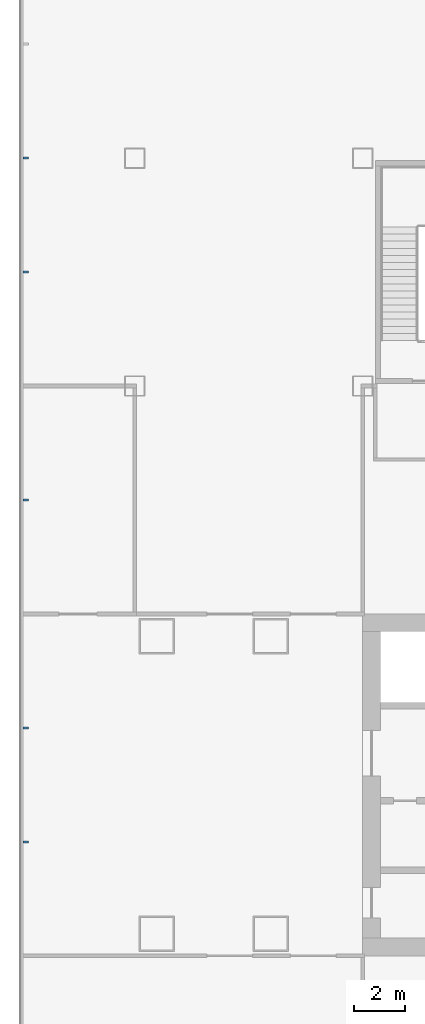
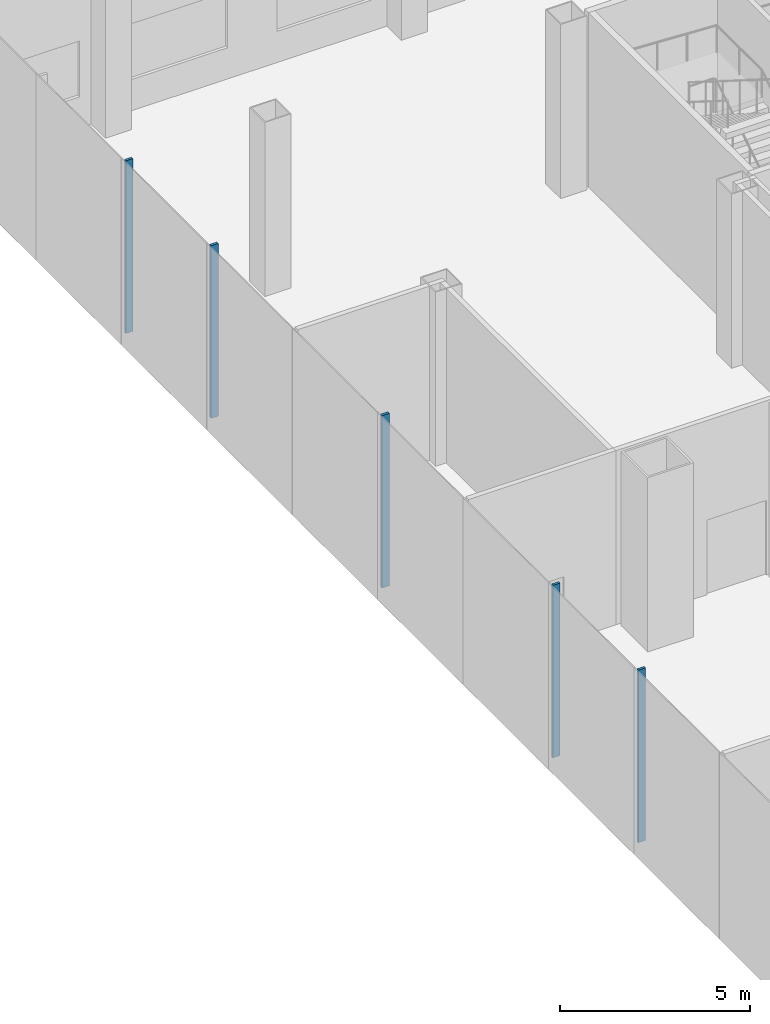
# One storey, part 8 of 33: 5 members, 1 element without a shape of its own.
"""IFC4 building model written with IfcOpenShell, lengths in metres."""

import ifcopenshell
import ifcopenshell.guid

model = None  # the IFC model being written
_history = None  # IfcOwnerHistory: only IFC2X3 demands one
_inside = {}  # id of a spatial element -> (the spatial element, [elements in it])
_under = {}  # id of a project, library or spatial element -> (it, [spatial elements below it])
_declared = {}  # id of a project -> (the project, [libraries it declares])
_typed = {}  # id of a type object -> (the type object, [elements of that type])
_made_of = {}  # id of a material, layer set ... -> (it, [elements and type objects made of it])


def new_model(schema):
    """Start an empty IFC model of exactly this schema.

    Asked for "IFC4X3", IfcOpenShell would pick the latest addendum, in which some entities
    have other attributes; the version numbers below select the first issue.
    IFC2X3 requires an IfcOwnerHistory on every rooted entity: one is made here for all.
    """
    global model, _history
    if schema == "IFC4X3":
        model = ifcopenshell.file(schema_version=(4, 3, 0, 0))
    else:
        model = ifcopenshell.file(schema=schema)
    _inside.clear()
    _under.clear()
    _declared.clear()
    _typed.clear()
    _made_of.clear()
    _history = None
    if model.schema == "IFC2X3":
        org = make("IfcOrganization", Name="unknown")
        user = make(
            "IfcPersonAndOrganization",
            ThePerson=make("IfcPerson", FamilyName="unknown"),
            TheOrganization=org,
        )
        app = make(
            "IfcApplication",
            ApplicationDeveloper=org,
            Version="unknown",
            ApplicationFullName="unknown",
            ApplicationIdentifier="unknown",
        )
        _history = make(
            "IfcOwnerHistory",
            OwningUser=user,
            OwningApplication=app,
            ChangeAction="ADDED",
            CreationDate=0,
        )
    return model


def make(cls, **values):
    """One entity of the class cls with the attributes given. An attribute that is None is left unset."""
    return model.create_entity(
        cls, **{name: value for name, value in values.items() if value is not None}
    )


def rooted(cls, **values):
    """An entity with a GlobalId (a new one), such as an element, a storey or a relation."""
    return make(cls, GlobalId=ifcopenshell.guid.new(), OwnerHistory=_history, **values)


def si_unit(unit_type, name, prefix=None):
    """IfcSIUnit, for example si_unit("LENGTHUNIT", "METRE", prefix="MILLI")."""
    return make("IfcSIUnit", UnitType=unit_type, Prefix=prefix, Name=name)


def assignment(units):
    """IfcUnitAssignment: the units of a project."""
    return None if units is None else make("IfcUnitAssignment", Units=units)


def point(xyz):
    """IfcCartesianPoint."""
    return None if xyz is None else make("IfcCartesianPoint", Coordinates=xyz)


def direction(xyz):
    """IfcDirection."""
    return None if xyz is None else make("IfcDirection", DirectionRatios=xyz)


def frame(location, z_axis=None, x_axis=None):
    """IfcAxis2Placement3D, a coordinate frame: its origin and axes. An axis left out is left unset."""
    return make(
        "IfcAxis2Placement3D",
        Location=point(location),
        Axis=direction(z_axis),
        RefDirection=direction(x_axis),
    )


def frame_2d(location, x_axis=None):
    """IfcAxis2Placement2D, a coordinate frame in the plane: its origin and x axis."""
    return make(
        "IfcAxis2Placement2D", Location=point(location), RefDirection=direction(x_axis)
    )


def origin():
    """The frame at (0, 0, 0) with its axes left unset."""
    return frame((0.0, 0.0, 0.0))


def origin_2d():
    """The frame at (0, 0) in the plane with its x axis left unset."""
    return frame_2d((0.0, 0.0))


def place(relative_to, where):
    """IfcLocalPlacement: puts the frame where relative to a parent placement (None: the world)."""
    return make(
        "IfcLocalPlacement", PlacementRelTo=relative_to, RelativePlacement=where
    )


def context(
    kind, dimensions, precision=None, world=None, true_north=None, identifier=None
):
    """IfcGeometricRepresentationContext, for example the 3D "Model" context."""
    return make(
        "IfcGeometricRepresentationContext",
        ContextIdentifier=identifier,
        ContextType=kind,
        CoordinateSpaceDimension=dimensions,
        Precision=precision,
        WorldCoordinateSystem=world,
        TrueNorth=true_north,
    )


def subcontext(parent, identifier, kind, view, scale=None):
    """IfcGeometricRepresentationSubContext, for example "Body" below "Model"."""
    return make(
        "IfcGeometricRepresentationSubContext",
        ContextIdentifier=identifier,
        ContextType=kind,
        ParentContext=parent,
        TargetScale=scale,
        TargetView=view,
    )


def project(units=None, contexts=None):
    """IfcProject with its units and contexts."""
    return rooted(
        "IfcProject",
        Name="project",
        RepresentationContexts=contexts,
        UnitsInContext=assignment(units),
    )


def spatial(cls, under=None, at=None, **own):
    """A site, building, storey or space (cls), placed at a placement, below another one or the project."""
    s = rooted(cls, ObjectPlacement=at, **own)
    if under is not None:
        _under.setdefault(under.id(), (under, []))[1].append(s)
    return s


def profile(cls, at=None, kind="AREA", **sizes):
    """A parametric profile (cls). Its sizes go by their IFC names, for example OverallWidth=200.0."""
    return make(cls, ProfileType=kind, Position=at, **sizes)


def rectangle(**sizes):
    """IfcRectangleProfileDef."""
    return profile("IfcRectangleProfileDef", **sizes)


def extrude(swept, where, along, depth):
    """IfcExtrudedAreaSolid: the profile swept, set in the frame where, extruded along a direction by depth."""
    return make(
        "IfcExtrudedAreaSolid",
        SweptArea=swept,
        Position=where,
        ExtrudedDirection=direction(along),
        Depth=depth,
    )


def shape(context_of_items, identifier, shape_type, items):
    """IfcShapeRepresentation: the items that make up one representation, for example the "Body"."""
    return make(
        "IfcShapeRepresentation",
        ContextOfItems=context_of_items,
        RepresentationIdentifier=identifier,
        RepresentationType=shape_type,
        Items=items,
    )


def material(Name=None, Category=None):
    """IfcMaterial."""
    return make("IfcMaterial", Name=Name, Category=Category)


def layer(
    of_material, thickness, ventilated=None, Name=None, Category=None, Priority=None
):
    """IfcMaterialLayer: one layer of a wall or slab, of a material (None: an air gap)."""
    return make(
        "IfcMaterialLayer",
        Material=of_material,
        LayerThickness=thickness,
        IsVentilated=ventilated,
        Name=Name,
        Category=Category,
        Priority=Priority,
    )


def layer_set(layers, Name=None):
    """IfcMaterialLayerSet."""
    return make("IfcMaterialLayerSet", MaterialLayers=layers, LayerSetName=Name)


def material_profile(
    of_material, cross_section, Name=None, Category=None, Priority=None
):
    """IfcMaterialProfile: a cross section and its material."""
    return make(
        "IfcMaterialProfile",
        Name=Name,
        Material=of_material,
        Profile=cross_section,
        Priority=Priority,
        Category=Category,
    )


def profile_set(profiles, Name=None, composite=None):
    """IfcMaterialProfileSet."""
    return make(
        "IfcMaterialProfileSet",
        Name=Name,
        MaterialProfiles=profiles,
        CompositeProfile=composite,
    )


def made_of(thing, what):
    """Note that an element or type object is made of a material, layer set ...; save() writes the relation."""
    if what is not None:
        _made_of.setdefault(what.id(), (what, []))[1].append(thing)
    return thing


def type_object(cls, material=None, **own):
    """A type object (cls), such as IfcWallType, which elements share."""
    return made_of(rooted(cls, **own), material)


def element(
    cls,
    number,
    at=None,
    inside=None,
    cuts=None,
    type_object=None,
    material=None,
    context=None,
    identifier="Body",
    shape_type=None,
    held_by="IfcProductDefinitionShape",
    body=None,
    shapes=None,
    **own,
):
    """One element of the class cls, such as IfcWall. Its Tag is "e" and its number.

    at: its placement. inside: the storey or other place that contains it. cuts: it is an
    opening in that element (IfcRelVoidsElement). A single representation is given by context,
    identifier, shape_type and body (its items); several are given by shapes. held_by: the class
    of the entity that holds the representations. save() writes the other relations.
    """
    e = rooted(cls, Tag="e%d" % number, ObjectPlacement=at, **own)
    if body is not None:
        shapes = [shape(context, identifier, shape_type, body)]
    if shapes is not None:
        e.Representation = make(held_by, Representations=shapes)
    if inside is not None:
        _inside.setdefault(inside.id(), (inside, []))[1].append(e)
    if cuts is not None:
        rooted(
            "IfcRelVoidsElement", RelatingBuildingElement=cuts, RelatedOpeningElement=e
        )
    if type_object is not None:
        _typed.setdefault(type_object.id(), (type_object, []))[1].append(e)
    return made_of(e, material)


def aggregate(whole, parts):
    """IfcRelAggregates: a whole, such as a stair, and the parts it consists of."""
    return rooted("IfcRelAggregates", RelatingObject=whole, RelatedObjects=parts)


def save(model, path):
    """Write the relations noted so far, then the file.

    IfcRelAggregates (storeys below a building ...), IfcRelContainedInSpatialStructure (elements
    in a storey), IfcRelDefinesByType, IfcRelAssociatesMaterial and IfcRelDeclares: one each for
    every whole, place, type object, material and project.
    """
    for whole, parts in _under.values():
        aggregate(whole, parts)
    for where, things in _inside.values():
        rooted(
            "IfcRelContainedInSpatialStructure",
            RelatedElements=things,
            RelatingStructure=where,
        )
    for kind, things in _typed.values():
        rooted("IfcRelDefinesByType", RelatedObjects=things, RelatingType=kind)
    for what, things in _made_of.values():
        rooted("IfcRelAssociatesMaterial", RelatedObjects=things, RelatingMaterial=what)
    for by, libraries in _declared.values():
        rooted("IfcRelDeclares", RelatingContext=by, RelatedDefinitions=libraries)
    model.write(path)


model = new_model("IFC4")

# Units and contexts
model_context = context("Model", 3, precision=1e-05, world=origin(), true_north=direction((0.0, 1.0)))
body_context = subcontext(model_context, "Body", "Model", "MODEL_VIEW")
ifc_project = project(units=[si_unit("LENGTHUNIT", "METRE"), si_unit("AREAUNIT", "SQUARE_METRE"), si_unit("VOLUMEUNIT", "CUBIC_METRE"), si_unit("PLANEANGLEUNIT", "RADIAN"), si_unit("MASSUNIT", "GRAM", prefix="KILO")], contexts=[model_context])

# Site, building, storey
site_placement = place(None, origin())
site = spatial("IfcSite", under=ifc_project, at=site_placement, CompositionType="ELEMENT")
building_placement = place(site_placement, origin())
building = spatial("IfcBuilding", under=site, at=building_placement, Name="Shamsa Quay Exchange Towers", CompositionType="ELEMENT")
storey_placement = place(building_placement, frame((0.0, 0.0, 6.5)))
storey = spatial("IfcBuildingStorey", under=building, at=storey_placement, Name="L01", CompositionType="ELEMENT", Elevation=6.5)

# Curtain wall, members
ifc_material = material(Name="Aluminium EN AW-6063 T6, black anodised", Category="aluminium")
ifc_layer = layer(ifc_material, 0.33203125)
ifc_layer_set = layer_set([ifc_layer], Name="CW-3 PODIUM SHOPFRONT GLAZING")
curtain_wall_type = type_object("IfcCurtainWallType", Name="CW-3 PODIUM SHOPFRONT GLAZING", PredefinedType="NOTDEFINED", material=ifc_layer_set)
curtain_wall_placement = place(storey_placement, origin())
curtain_wall = element("IfcCurtainWall", 1, at=curtain_wall_placement, inside=storey, type_object=curtain_wall_type, Name="CW3 PODIUM-L01-F02", PredefinedType="NOTDEFINED")
ifc_material_profile = material_profile(ifc_material, rectangle(XDim=0.219970703125, YDim=0.080078125, at=origin_2d()), Name="MU80x220")
ifc_profile_set = profile_set([ifc_material_profile], Name="Aluminium EN AW-6063 T6, black anodised")
member_type = type_object("IfcMemberType", Name="CW3 MULLION 80x220", PredefinedType="MULLION", material=ifc_profile_set)
member_1_placement = place(storey_placement, frame((-67.31005859375, 24.75, 0.0)))
member_1 = element("IfcMember", 2, at=member_1_placement, type_object=member_type, Name="CW3 mullion", PredefinedType="MULLION", context=body_context, shape_type="SweptSolid", body=[
    extrude(rectangle(XDim=0.219970703125, YDim=0.080078125, at=origin_2d()), origin(), (0.0, 0.0, 1.0), 5.550048828125),
])
member_2_placement = place(storey_placement, frame((-67.31005859375, 20.25, 0.0)))
member_2 = element("IfcMember", 3, at=member_2_placement, type_object=member_type, Name="CW3 mullion", PredefinedType="MULLION", context=body_context, shape_type="SweptSolid", body=[
    extrude(rectangle(XDim=0.219970703125, YDim=0.080078125, at=origin_2d()), origin(), (0.0, 0.0, 1.0), 5.550048828125),
])
member_3_placement = place(storey_placement, frame((-67.31005859375, 11.25, 0.0)))
member_3 = element("IfcMember", 4, at=member_3_placement, type_object=member_type, Name="CW3 mullion", PredefinedType="MULLION", context=body_context, shape_type="SweptSolid", body=[
    extrude(rectangle(XDim=0.219970703125, YDim=0.080078125, at=origin_2d()), origin(), (0.0, 0.0, 1.0), 5.550048828125),
])
member_4_placement = place(storey_placement, frame((-67.31005859375, 2.25, 0.0)))
member_4 = element("IfcMember", 5, at=member_4_placement, type_object=member_type, Name="CW3 mullion", PredefinedType="MULLION", context=body_context, shape_type="SweptSolid", body=[
    extrude(rectangle(XDim=0.219970703125, YDim=0.080078125, at=origin_2d()), origin(), (0.0, 0.0, 1.0), 5.550048828125),
])
member_5_placement = place(storey_placement, frame((-67.31005859375, -2.25, 0.0)))
member_5 = element("IfcMember", 6, at=member_5_placement, type_object=member_type, Name="CW3 mullion", PredefinedType="MULLION", context=body_context, shape_type="SweptSolid", body=[
    extrude(rectangle(XDim=0.219970703125, YDim=0.080078125, at=origin_2d()), origin(), (0.0, 0.0, 1.0), 5.550048828125),
])
aggregate(curtain_wall, [member_1, member_2, member_3, member_4, member_5])

save(model, "model.ifc")
